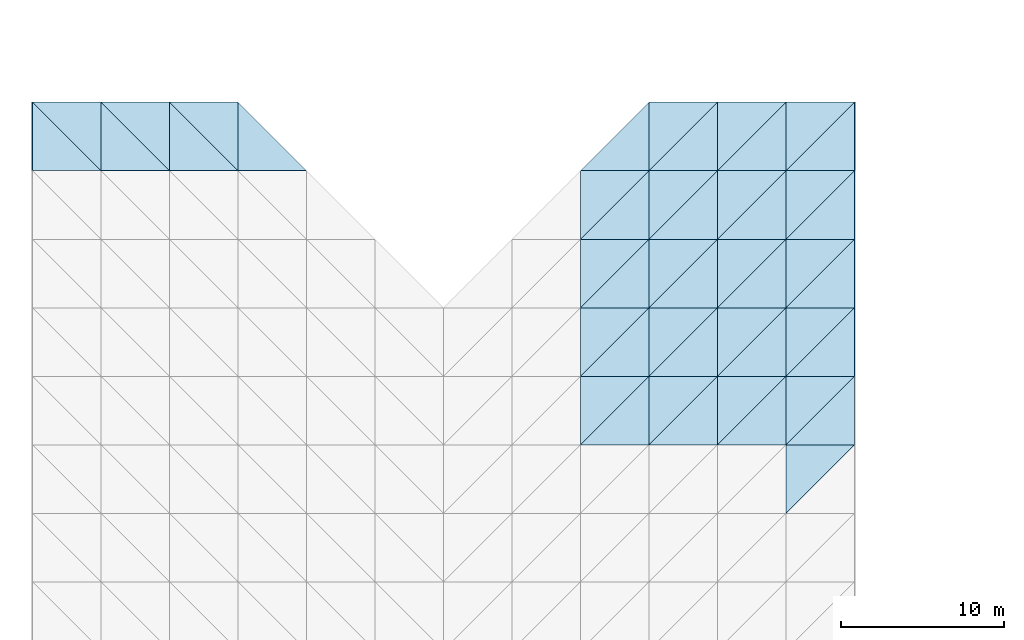
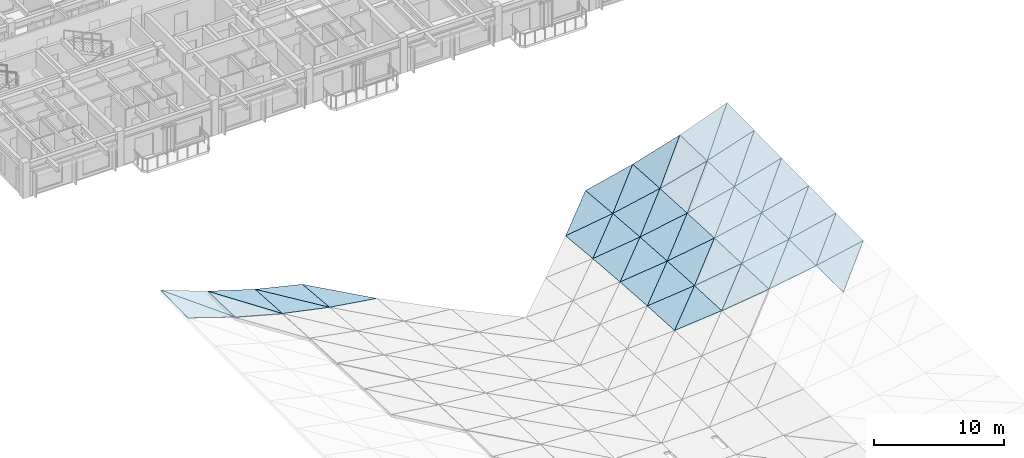
# One storey, part 24 of 31: 47 roofs.
"""IFC4 building model written with IfcOpenShell, lengths in metres."""

import ifcopenshell
import ifcopenshell.guid

model = None  # the IFC model being written
_history = None  # IfcOwnerHistory: only IFC2X3 demands one
_inside = {}  # id of a spatial element -> (the spatial element, [elements in it])
_under = {}  # id of a project, library or spatial element -> (it, [spatial elements below it])
_declared = {}  # id of a project -> (the project, [libraries it declares])
_typed = {}  # id of a type object -> (the type object, [elements of that type])
_made_of = {}  # id of a material, layer set ... -> (it, [elements and type objects made of it])


def new_model(schema):
    """Start an empty IFC model of exactly this schema.

    Asked for "IFC4X3", IfcOpenShell would pick the latest addendum, in which some entities
    have other attributes; the version numbers below select the first issue.
    IFC2X3 requires an IfcOwnerHistory on every rooted entity: one is made here for all.
    """
    global model, _history
    if schema == "IFC4X3":
        model = ifcopenshell.file(schema_version=(4, 3, 0, 0))
    else:
        model = ifcopenshell.file(schema=schema)
    _inside.clear()
    _under.clear()
    _declared.clear()
    _typed.clear()
    _made_of.clear()
    _history = None
    if model.schema == "IFC2X3":
        org = make("IfcOrganization", Name="unknown")
        user = make(
            "IfcPersonAndOrganization",
            ThePerson=make("IfcPerson", FamilyName="unknown"),
            TheOrganization=org,
        )
        app = make(
            "IfcApplication",
            ApplicationDeveloper=org,
            Version="unknown",
            ApplicationFullName="unknown",
            ApplicationIdentifier="unknown",
        )
        _history = make(
            "IfcOwnerHistory",
            OwningUser=user,
            OwningApplication=app,
            ChangeAction="ADDED",
            CreationDate=0,
        )
    return model


def make(cls, **values):
    """One entity of the class cls with the attributes given. An attribute that is None is left unset."""
    return model.create_entity(
        cls, **{name: value for name, value in values.items() if value is not None}
    )


def rooted(cls, **values):
    """An entity with a GlobalId (a new one), such as an element, a storey or a relation."""
    return make(cls, GlobalId=ifcopenshell.guid.new(), OwnerHistory=_history, **values)


def si_unit(unit_type, name, prefix=None):
    """IfcSIUnit, for example si_unit("LENGTHUNIT", "METRE", prefix="MILLI")."""
    return make("IfcSIUnit", UnitType=unit_type, Prefix=prefix, Name=name)


def assignment(units):
    """IfcUnitAssignment: the units of a project."""
    return None if units is None else make("IfcUnitAssignment", Units=units)


def point(xyz):
    """IfcCartesianPoint."""
    return None if xyz is None else make("IfcCartesianPoint", Coordinates=xyz)


def direction(xyz):
    """IfcDirection."""
    return None if xyz is None else make("IfcDirection", DirectionRatios=xyz)


def frame(location, z_axis=None, x_axis=None):
    """IfcAxis2Placement3D, a coordinate frame: its origin and axes. An axis left out is left unset."""
    return make(
        "IfcAxis2Placement3D",
        Location=point(location),
        Axis=direction(z_axis),
        RefDirection=direction(x_axis),
    )


def origin():
    """The frame at (0, 0, 0) with its axes left unset."""
    return frame((0.0, 0.0, 0.0))


def place(relative_to, where):
    """IfcLocalPlacement: puts the frame where relative to a parent placement (None: the world)."""
    return make(
        "IfcLocalPlacement", PlacementRelTo=relative_to, RelativePlacement=where
    )


def context(
    kind, dimensions, precision=None, world=None, true_north=None, identifier=None
):
    """IfcGeometricRepresentationContext, for example the 3D "Model" context."""
    return make(
        "IfcGeometricRepresentationContext",
        ContextIdentifier=identifier,
        ContextType=kind,
        CoordinateSpaceDimension=dimensions,
        Precision=precision,
        WorldCoordinateSystem=world,
        TrueNorth=true_north,
    )


def subcontext(parent, identifier, kind, view, scale=None):
    """IfcGeometricRepresentationSubContext, for example "Body" below "Model"."""
    return make(
        "IfcGeometricRepresentationSubContext",
        ContextIdentifier=identifier,
        ContextType=kind,
        ParentContext=parent,
        TargetScale=scale,
        TargetView=view,
    )


def project(units=None, contexts=None):
    """IfcProject with its units and contexts."""
    return rooted(
        "IfcProject",
        Name="project",
        RepresentationContexts=contexts,
        UnitsInContext=assignment(units),
    )


def spatial(cls, under=None, at=None, **own):
    """A site, building, storey or space (cls), placed at a placement, below another one or the project."""
    s = rooted(cls, ObjectPlacement=at, **own)
    if under is not None:
        _under.setdefault(under.id(), (under, []))[1].append(s)
    return s


def polyline(points):
    """IfcPolyline through the points."""
    return make("IfcPolyline", Points=[point(p) for p in points])


def outline(outer, holes=None, kind="AREA"):
    """IfcArbitraryClosedProfileDef: a profile drawn as a closed curve; with holes, ...WithVoids."""
    if holes is None:
        return make("IfcArbitraryClosedProfileDef", ProfileType=kind, OuterCurve=outer)
    return make(
        "IfcArbitraryProfileDefWithVoids",
        ProfileType=kind,
        OuterCurve=outer,
        InnerCurves=holes,
    )


def extrude(swept, where, along, depth):
    """IfcExtrudedAreaSolid: the profile swept, set in the frame where, extruded along a direction by depth."""
    return make(
        "IfcExtrudedAreaSolid",
        SweptArea=swept,
        Position=where,
        ExtrudedDirection=direction(along),
        Depth=depth,
    )


def shape(context_of_items, identifier, shape_type, items):
    """IfcShapeRepresentation: the items that make up one representation, for example the "Body"."""
    return make(
        "IfcShapeRepresentation",
        ContextOfItems=context_of_items,
        RepresentationIdentifier=identifier,
        RepresentationType=shape_type,
        Items=items,
    )


def material(Name=None, Category=None):
    """IfcMaterial."""
    return make("IfcMaterial", Name=Name, Category=Category)


def layer(
    of_material, thickness, ventilated=None, Name=None, Category=None, Priority=None
):
    """IfcMaterialLayer: one layer of a wall or slab, of a material (None: an air gap)."""
    return make(
        "IfcMaterialLayer",
        Material=of_material,
        LayerThickness=thickness,
        IsVentilated=ventilated,
        Name=Name,
        Category=Category,
        Priority=Priority,
    )


def layer_set(layers, Name=None):
    """IfcMaterialLayerSet."""
    return make("IfcMaterialLayerSet", MaterialLayers=layers, LayerSetName=Name)


def made_of(thing, what):
    """Note that an element or type object is made of a material, layer set ...; save() writes the relation."""
    if what is not None:
        _made_of.setdefault(what.id(), (what, []))[1].append(thing)
    return thing


def type_object(cls, material=None, **own):
    """A type object (cls), such as IfcWallType, which elements share."""
    return made_of(rooted(cls, **own), material)


def element(
    cls,
    number,
    at=None,
    inside=None,
    cuts=None,
    type_object=None,
    material=None,
    context=None,
    identifier="Body",
    shape_type=None,
    held_by="IfcProductDefinitionShape",
    body=None,
    shapes=None,
    **own,
):
    """One element of the class cls, such as IfcWall. Its Tag is "e" and its number.

    at: its placement. inside: the storey or other place that contains it. cuts: it is an
    opening in that element (IfcRelVoidsElement). A single representation is given by context,
    identifier, shape_type and body (its items); several are given by shapes. held_by: the class
    of the entity that holds the representations. save() writes the other relations.
    """
    e = rooted(cls, Tag="e%d" % number, ObjectPlacement=at, **own)
    if body is not None:
        shapes = [shape(context, identifier, shape_type, body)]
    if shapes is not None:
        e.Representation = make(held_by, Representations=shapes)
    if inside is not None:
        _inside.setdefault(inside.id(), (inside, []))[1].append(e)
    if cuts is not None:
        rooted(
            "IfcRelVoidsElement", RelatingBuildingElement=cuts, RelatedOpeningElement=e
        )
    if type_object is not None:
        _typed.setdefault(type_object.id(), (type_object, []))[1].append(e)
    return made_of(e, material)


def aggregate(whole, parts):
    """IfcRelAggregates: a whole, such as a stair, and the parts it consists of."""
    return rooted("IfcRelAggregates", RelatingObject=whole, RelatedObjects=parts)


def save(model, path):
    """Write the relations noted so far, then the file.

    IfcRelAggregates (storeys below a building ...), IfcRelContainedInSpatialStructure (elements
    in a storey), IfcRelDefinesByType, IfcRelAssociatesMaterial and IfcRelDeclares: one each for
    every whole, place, type object, material and project.
    """
    for whole, parts in _under.values():
        aggregate(whole, parts)
    for where, things in _inside.values():
        rooted(
            "IfcRelContainedInSpatialStructure",
            RelatedElements=things,
            RelatingStructure=where,
        )
    for kind, things in _typed.values():
        rooted("IfcRelDefinesByType", RelatedObjects=things, RelatingType=kind)
    for what, things in _made_of.values():
        rooted("IfcRelAssociatesMaterial", RelatedObjects=things, RelatingMaterial=what)
    for by, libraries in _declared.values():
        rooted("IfcRelDeclares", RelatingContext=by, RelatedDefinitions=libraries)
    model.write(path)


model = new_model("IFC4")

# Units and contexts
model_context = context("Model", 3, precision=1e-05, world=origin(), true_north=direction((0.0, 1.0)))
body_context = subcontext(model_context, "Body", "Model", "MODEL_VIEW")
ifc_project = project(units=[si_unit("LENGTHUNIT", "METRE"), si_unit("AREAUNIT", "SQUARE_METRE"), si_unit("VOLUMEUNIT", "CUBIC_METRE"), si_unit("PLANEANGLEUNIT", "RADIAN"), si_unit("MASSUNIT", "GRAM", prefix="KILO")], contexts=[model_context])

# Site, building, storey
site_placement = place(None, origin())
site = spatial("IfcSite", under=ifc_project, at=site_placement, CompositionType="ELEMENT")
building_placement = place(site_placement, origin())
building = spatial("IfcBuilding", under=site, at=building_placement, Name="Cumbredor Promenade Congress Hotel", CompositionType="ELEMENT")
storey_placement = place(building_placement, frame((0.0, 0.0, 31.919921875)))
storey = spatial("IfcBuildingStorey", under=building, at=storey_placement, Name="L09", CompositionType="ELEMENT", Elevation=31.919921875)

# Roofs
ifc_material = material(Name="Standing-seam zinc-aluminium roofing", Category="aluminium")
ifc_layer = layer(ifc_material, 0.050048828125, Name="Standing-seam zinc-aluminium roofing", Category="aluminium")
ifc_layer_set = layer_set([ifc_layer], Name="Standing-seam zinc-aluminium roofing")
roof_type = type_object("IfcRoofType", Name="Sweeping Pavilion Standing-Seam Roof Skin 50mm", PredefinedType="FREEFORM", material=ifc_layer_set)
roof_1_placement = place(storey_placement, frame((8.39990234375, 67.199951171875, 3.81689453125), z_axis=(0.314567093769, -0.015558238685, 0.949107730833), x_axis=(0.949222621626, 0.0, -0.314605172548)))
element("IfcRoof", 1, at=roof_1_placement, inside=storey, type_object=roof_type, Name="Plenary Congress Hall Standing-Seam Roof Skin 4.17.1", PredefinedType="FREEFORM", context=body_context, shape_type="SweptSolid", body=[
    extrude(outline(polyline([(0.0, 0.0), (4.424879071366682, 0.0), (-0.02165982877403565, 4.200459581727074), (0.0, 0.0)])), origin(), (0.0, 0.0, -1.0), 0.050048828125),
])
roof_2_placement = place(storey_placement, frame((12.60009765625, 67.199951171875, 2.4248046875), z_axis=(0.35108065082, 0.025517805151, 0.935997445638), x_axis=(0.0, 0.999628579988, -0.027252560833)))
element("IfcRoof", 2, at=roof_2_placement, inside=storey, type_object=roof_type, Name="Plenary Congress Hall Standing-Seam Roof Skin 4.17.2", PredefinedType="FREEFORM", context=body_context, shape_type="SweptSolid", body=[
    extrude(outline(polyline([(0.0, 0.0), (4.201511697401737, 6.938893903907228e-18), (4.158576937866366, 4.485733690271126), (0.0, 0.0)])), origin(), (0.0, 0.0, -1.0), 0.050048828125),
])
roof_3_placement = place(storey_placement, frame((12.60009765625, 67.199951171875, 2.4248046875), z_axis=(0.261578655926, 0.026303685598, 0.964823674506), x_axis=(0.965157620777, 0.0, -0.261669193937)))
element("IfcRoof", 3, at=roof_3_placement, inside=storey, type_object=roof_type, Name="Plenary Congress Hall Standing-Seam Roof Skin 5.17.1", PredefinedType="FREEFORM", context=body_context, shape_type="SweptSolid", body=[
    extrude(outline(polyline([(0.0, 0.0), (4.351570232117391, 0.0), (0.029961633778472968, 4.201404865506888), (0.0, 0.0)])), origin(), (0.0, 0.0, -1.0), 0.050048828125),
])
roof_4_placement = place(storey_placement, frame((16.800048828125, 67.199951171875, 1.2861328125), z_axis=(0.292832493061, 0.060130786603, 0.954271145697), x_axis=(0.0, 0.998020619679, -0.062887540065)))
element("IfcRoof", 4, at=roof_4_placement, inside=storey, type_object=roof_type, Name="Plenary Congress Hall Standing-Seam Roof Skin 5.17.2", PredefinedType="FREEFORM", context=body_context, shape_type="SweptSolid", body=[
    extrude(outline(polyline([(0.0, 0.0), (4.208280960392899, -2.7755575615628914e-17), (4.12723034418165, 4.392501953011293), (0.0, 0.0)])), origin(), (0.0, 0.0, -1.0), 0.050048828125),
])
roof_5_placement = place(storey_placement, frame((16.800048828125, 67.199951171875, 1.2861328125), z_axis=(0.205963343256, 0.061539212814, 0.976622765719), x_axis=(0.978477306539, 0.0, -0.206354453765)))
element("IfcRoof", 5, at=roof_5_placement, inside=storey, type_object=roof_type, Name="Plenary Congress Hall Standing-Seam Roof Skin 6.17.1", PredefinedType="FREEFORM", context=body_context, shape_type="SweptSolid", body=[
    extrude(outline(polyline([(0.0, 0.0), (4.292333755528742, 0.0), (0.05461138376012229, 4.2079265961241745), (0.0, 0.0)])), origin(), (0.0, 0.0, -1.0), 0.050048828125),
])
roof_6_placement = place(storey_placement, frame((21.0, 67.199951171875, 0.400390625), z_axis=(0.231257969912, 0.087974902339, 0.968906686895), x_axis=(0.0, 0.995903165323, -0.090426131735)))
element("IfcRoof", 6, at=roof_6_placement, inside=storey, type_object=roof_type, Name="Plenary Congress Hall Standing-Seam Roof Skin 6.17.2", PredefinedType="FREEFORM", context=body_context, shape_type="SweptSolid", body=[
    extrude(outline(polyline([(0.0, 0.0), (4.217228459671299, 1.3877787807814457e-17), (4.126581561013314, 4.316973680584855), (0.0, 0.0)])), origin(), (0.0, 0.0, -1.0), 0.050048828125),
])
roof_7_placement = place(storey_placement, frame((21.0, 67.199951171875, 0.400390625), z_axis=(0.148392794585, 0.089424978836, 0.984877023631), x_axis=(0.988838745942, 0.0, -0.148989712811)))
element("IfcRoof", 7, at=roof_7_placement, inside=storey, type_object=roof_type, Name="Plenary Congress Hall Standing-Seam Roof Skin 7.17.1", PredefinedType="FREEFORM", context=body_context, shape_type="SweptSolid", body=[
    extrude(outline(polyline([(0.0, 0.0), (4.247357002453459, -1.3877787807814457e-17), (0.05681687778571597, 4.216845707808176), (0.0, 0.0)])), origin(), (0.0, 0.0, -1.0), 0.050048828125),
])
roof_8_placement = place(storey_placement, frame((42.0, 50.39990234375, 1.0458984375), z_axis=(-0.095492573343, 0.045142472615, 0.994406016475), x_axis=(0.995420789287, 0.0, 0.095590021735)))
element("IfcRoof", 8, at=roof_8_placement, inside=storey, type_object=roof_type, Name="Plenary Congress Hall Standing-Seam Roof Skin 12.13.1", PredefinedType="FREEFORM", context=body_context, shape_type="SweptSolid", body=[
    extrude(outline(polyline([(0.0, 0.0), (4.219272107912606, 0.0), (4.201045592537898, 4.204481533556321), (0.0, 0.0)])), origin(), (0.0, 0.0, -1.0), 0.050048828125),
])
roof_9_placement = place(storey_placement, frame((42.0, 50.39990234375, 1.0458984375), z_axis=(-0.105220665991, 0.054944734798, 0.992929850275), x_axis=(0.706633542814, 0.706674618995, 0.035777353705)))
element("IfcRoof", 9, at=roof_9_placement, inside=storey, type_object=roof_type, Name="Plenary Congress Hall Standing-Seam Roof Skin 12.13.2", PredefinedType="FREEFORM", context=body_context, shape_type="SweptSolid", body=[
    extrude(outline(polyline([(0.0, 0.0), (5.943605726879787, 4.753142324176451e-16), (2.9598559825353283, 2.9891325085675473), (0.0, 0.0)])), origin(), (0.0, 0.0, -1.0), 0.050048828125),
])
roof_10_placement = place(storey_placement, frame((42.0, 54.60009765625, 0.8134765625), z_axis=(-0.105212196304, 0.056386349857, 0.992849924862), x_axis=(0.994432042203, 0.0, 0.105379853103)))
element("IfcRoof", 10, at=roof_10_placement, inside=storey, type_object=roof_type, Name="Plenary Congress Hall Standing-Seam Roof Skin 12.14.1", PredefinedType="FREEFORM", context=body_context, shape_type="SweptSolid", body=[
    extrude(outline(polyline([(0.0, 0.0), (4.223467259332188, 3.469446951953614e-18), (4.198331488706719, 4.2066438405386855), (0.0, 0.0)])), origin(), (0.0, 0.0, -1.0), 0.050048828125),
])
roof_11_placement = place(storey_placement, frame((42.0, 54.60009765625, 0.8134765625), z_axis=(-0.117254845515, 0.068533038391, 0.990734335658), x_axis=(0.706679647611, 0.706679647611, 0.034752716496)))
element("IfcRoof", 11, at=roof_11_placement, inside=storey, type_object=roof_type, Name="Plenary Congress Hall Standing-Seam Roof Skin 12.14.2", PredefinedType="FREEFORM", context=body_context, shape_type="SweptSolid", body=[
    extrude(outline(polyline([(0.0, 0.0), (5.94321795748805, 3.0184188481996443e-16), (2.9579233997137746, 2.995777886463936), (0.0, 0.0)])), origin(), (0.0, 0.0, -1.0), 0.050048828125),
])
roof_12_placement = place(storey_placement, frame((42.0, 58.800048828125, 0.52294921875), z_axis=(-0.117263569299, 0.067443830869, 0.990808046492), x_axis=(0.993069192908, 0.0, 0.117531179257)))
element("IfcRoof", 12, at=roof_12_placement, inside=storey, type_object=roof_type, Name="Plenary Congress Hall Standing-Seam Roof Skin 12.15.1", PredefinedType="FREEFORM", context=body_context, shape_type="SweptSolid", body=[
    extrude(outline(polyline([(0.0, 0.0), (4.229263380507655, 6.938893903907228e-18), (4.195662547765935, 4.209535979520748), (0.0, 0.0)])), origin(), (0.0, 0.0, -1.0), 0.050048828125),
])
roof_13_placement = place(storey_placement, frame((42.0, 58.800048828125, 0.52294921875), z_axis=(-0.131677216487, 0.082003953399, 0.987894965209), x_axis=(0.706660264874, 0.706660264874, 0.035532240256)))
element("IfcRoof", 13, at=roof_13_placement, inside=storey, type_object=roof_type, Name="Plenary Congress Hall Standing-Seam Roof Skin 12.15.2", PredefinedType="FREEFORM", context=body_context, shape_type="SweptSolid", body=[
    extrude(outline(polyline([(0.0, 0.0), (5.943380971938906, 0.0), (2.9555509027186253, 3.0043058342194406), (0.0, 0.0)])), origin(), (0.0, 0.0, -1.0), 0.050048828125),
])
roof_14_placement = place(storey_placement, frame((42.0, 63.0, 0.17431640625), z_axis=(-0.131714249465, 0.078523061063, 0.988172801371), x_axis=(0.99123343534, 0.0, 0.132122203525)))
element("IfcRoof", 14, at=roof_14_placement, inside=storey, type_object=roof_type, Name="Plenary Congress Hall Standing-Seam Roof Skin 12.16.1", PredefinedType="FREEFORM", context=body_context, shape_type="SweptSolid", body=[
    extrude(outline(polyline([(0.0, 0.0), (4.237095947469426, -6.938893903907228e-18), (4.19300145229897, 4.212959537625602), (0.0, 0.0)])), origin(), (0.0, 0.0, -1.0), 0.050048828125),
])
roof_15_placement = place(storey_placement, frame((42.0, 63.0, 0.17431640625), z_axis=(-0.148311221461, 0.095326579843, 0.984335626077), x_axis=(0.706595138181, 0.706595138181, 0.038034476426)))
element("IfcRoof", 15, at=roof_15_placement, inside=storey, type_object=roof_type, Name="Plenary Congress Hall Standing-Seam Roof Skin 12.16.2", PredefinedType="FREEFORM", context=body_context, shape_type="SweptSolid", body=[
    extrude(outline(polyline([(0.0, 0.0), (5.943928771835325, -2.3592239273284576e-16), (2.952195001076138, 3.0148914659054404), (0.0, 0.0)])), origin(), (0.0, 0.0, -1.0), 0.050048828125),
])
roof_16_placement = place(storey_placement, frame((42.0, 67.199951171875, -0.232421875), z_axis=(-0.148392794585, 0.089424978836, 0.984877023631), x_axis=(0.988838745942, 0.0, 0.148989712811)))
element("IfcRoof", 16, at=roof_16_placement, inside=storey, type_object=roof_type, Name="Plenary Congress Hall Standing-Seam Roof Skin 12.17.1", PredefinedType="FREEFORM", context=body_context, shape_type="SweptSolid", body=[
    extrude(outline(polyline([(0.0, 0.0), (4.247357002453459, 1.3877787807814457e-17), (4.190540124667743, 4.216845707808176), (0.0, 0.0)])), origin(), (0.0, 0.0, -1.0), 0.050048828125),
])
roof_17_placement = place(storey_placement, frame((46.199951171875, 50.39990234375, 1.44921875), z_axis=(-0.133189316593, 0.031208133833, 0.99059914109), x_axis=(0.991081889584, 0.0, 0.133254223717)))
element("IfcRoof", 17, at=roof_17_placement, inside=storey, type_object=roof_type, Name="Plenary Congress Hall Standing-Seam Roof Skin 13.13.1", PredefinedType="FREEFORM", context=body_context, shape_type="SweptSolid", body=[
    extrude(outline(polyline([(0.0, 0.0), (4.23774383934878, 0.0), (4.220111078300256, 4.202242192895666), (0.0, 0.0)])), origin(), (0.0, 0.0, -1.0), 0.050048828125),
])
roof_18_placement = place(storey_placement, frame((46.199951171875, 50.39990234375, 1.44921875), z_axis=(-0.146592652311, 0.044859798853, 0.988179231079), x_axis=(0.705220304782, 0.705261298813, 0.072600427819)))
element("IfcRoof", 18, at=roof_18_placement, inside=storey, type_object=roof_type, Name="Plenary Congress Hall Standing-Seam Roof Skin 13.13.2", PredefinedType="FREEFORM", context=body_context, shape_type="SweptSolid", body=[
    extrude(outline(polyline([(0.0, 0.0), (5.955516515042597, 1.1102230246251565e-16), (2.9483921998654137, 2.997495722707807), (0.0, 0.0)])), origin(), (0.0, 0.0, -1.0), 0.050048828125),
])
roof_19_placement = place(storey_placement, frame((46.199951171875, 54.60009765625, 1.258544921875), z_axis=(-0.146628993095, 0.038955508354, 0.988424203848), x_axis=(0.989175041018, 0.0, 0.14674037695)))
element("IfcRoof", 19, at=roof_19_placement, inside=storey, type_object=roof_type, Name="Plenary Congress Hall Standing-Seam Roof Skin 13.14.1", PredefinedType="FREEFORM", context=body_context, shape_type="SweptSolid", body=[
    extrude(outline(polyline([(0.0, 0.0), (4.245913006007242, -3.469446951953614e-18), (4.221623461189773, 4.203141582872945), (0.0, 0.0)])), origin(), (0.0, 0.0, -1.0), 0.050048828125),
])
roof_20_placement = place(storey_placement, frame((46.199951171875, 54.60009765625, 1.258544921875), z_axis=(-0.163240843778, 0.055940478559, 0.984999030345), x_axis=(0.705018310319, 0.705018310319, 0.076800808786)))
element("IfcRoof", 20, at=roof_20_placement, inside=storey, type_object=roof_type, Name="Plenary Congress Hall Standing-Seam Roof Skin 13.14.2", PredefinedType="FREEFORM", context=body_context, shape_type="SweptSolid", body=[
    extrude(outline(polyline([(0.0, 0.0), (5.957222827269733, -2.7755575615628914e-17), (2.942723535701389, 3.006137455362963), (0.0, 0.0)])), origin(), (0.0, 0.0, -1.0), 0.050048828125),
])
roof_21_placement = place(storey_placement, frame((46.199951171875, 58.800048828125, 1.02001953125), z_axis=(-0.16331945283, 0.046572681568, 0.985473359183), x_axis=(0.986543854023, 0.0, 0.16349686263)))
element("IfcRoof", 21, at=roof_21_placement, inside=storey, type_object=roof_type, Name="Plenary Congress Hall Standing-Seam Roof Skin 13.15.1", PredefinedType="FREEFORM", context=body_context, shape_type="SweptSolid", body=[
    extrude(outline(polyline([(0.0, 0.0), (4.257237176785217, 6.938893903907228e-18), (4.224785284861885, 4.204513472840506), (0.0, 0.0)])), origin(), (0.0, 0.0, -1.0), 0.050048828125),
])
roof_22_placement = place(storey_placement, frame((46.199951171875, 58.800048828125, 1.02001953125), z_axis=(-0.182964986492, 0.066765970453, 0.980849692311), x_axis=(0.704638772809, 0.704638772809, 0.083476941172)))
element("IfcRoof", 22, at=roof_22_placement, inside=storey, type_object=roof_type, Name="Plenary Congress Hall Standing-Seam Roof Skin 13.15.2", PredefinedType="FREEFORM", context=body_context, shape_type="SweptSolid", body=[
    extrude(outline(polyline([(0.0, 0.0), (5.960431548678573, 1.1102230246251565e-16), (2.9355833277652796, 3.0172293092483313), (0.0, 0.0)])), origin(), (0.0, 0.0, -1.0), 0.050048828125),
])
roof_23_placement = place(storey_placement, frame((46.199951171875, 63.0, 0.734130859375), z_axis=(-0.183105679029, 0.054092921072, 0.981603925317), x_axis=(0.9830431928, 0.0, 0.183374156002)))
element("IfcRoof", 23, at=roof_23_placement, inside=storey, type_object=roof_type, Name="Plenary Congress Hall Standing-Seam Roof Skin 13.16.1", PredefinedType="FREEFORM", context=body_context, shape_type="SweptSolid", body=[
    extrude(outline(polyline([(0.0, 0.0), (4.272397390710451, -6.938893903907228e-18), (4.229956301870236, 4.206109310608851), (0.0, 0.0)])), origin(), (0.0, 0.0, -1.0), 0.050048828125),
])
roof_24_placement = place(storey_placement, frame((46.199951171875, 63.0, 0.734130859375), z_axis=(-0.205733512795, 0.077518663724, 0.975532971502), x_axis=(0.704072781143, 0.704072781143, 0.09253668303)))
element("IfcRoof", 24, at=roof_24_placement, inside=storey, type_object=roof_type, Name="Plenary Congress Hall Standing-Seam Roof Skin 13.16.2", PredefinedType="FREEFORM", context=body_context, shape_type="SweptSolid", body=[
    extrude(outline(polyline([(0.0, 0.0), (5.965223034264703, 2.498001805406602e-16), (2.9261880879655005, 3.0312366558920596), (0.0, 0.0)])), origin(), (0.0, 0.0, -1.0), 0.050048828125),
])
roof_25_placement = place(storey_placement, frame((46.199951171875, 67.199951171875, 0.400390625), z_axis=(-0.205963343256, 0.061539212814, 0.976622765719), x_axis=(0.978477306539, 0.0, 0.206354453765)))
element("IfcRoof", 25, at=roof_25_placement, inside=storey, type_object=roof_type, Name="Plenary Congress Hall Standing-Seam Roof Skin 13.17.1", PredefinedType="FREEFORM", context=body_context, shape_type="SweptSolid", body=[
    extrude(outline(polyline([(0.0, 0.0), (4.292333755528742, 0.0), (4.237722371768619, 4.2079265961241745), (0.0, 0.0)])), origin(), (0.0, 0.0, -1.0), 0.050048828125),
])
roof_26_placement = place(storey_placement, frame((46.199951171875, 67.199951171875, 0.400390625), z_axis=(-0.231257969912, 0.087974902339, 0.968906686895), x_axis=(0.703272296544, 0.703272296544, 0.104000739546)))
element("IfcRoof", 26, at=roof_26_placement, inside=storey, type_object=roof_type, Name="Plenary Congress Hall Standing-Seam Roof Skin 13.17.2", PredefinedType="FREEFORM", context=body_context, shape_type="SweptSolid", body=[
    extrude(outline(polyline([(0.0, 0.0), (5.972012821365794, -3.3306690738754696e-16), (2.9140488677450915, 3.0484971834422123), (0.0, 0.0)])), origin(), (0.0, 0.0, -1.0), 0.050048828125),
])
roof_27_placement = place(storey_placement, frame((50.39990234375, 50.39990234375, 2.013916015625), z_axis=(-0.170324947913, 0.013458763537, 0.985296033587), x_axis=(0.985385283144, 0.0, 0.170340376196)))
element("IfcRoof", 27, at=roof_27_placement, inside=storey, type_object=roof_type, Name="Plenary Congress Hall Standing-Seam Roof Skin 14.13.1", PredefinedType="FREEFORM", context=body_context, shape_type="SweptSolid", body=[
    extrude(outline(polyline([(0.0, 0.0), (4.2624904028373365, 0.0), (4.252717456449154, 4.200575772340453), (0.0, 0.0)])), origin(), (0.0, 0.0, -1.0), 0.050048828125),
])
roof_28_placement = place(storey_placement, frame((50.39990234375, 50.39990234375, 2.013916015625), z_axis=(-0.187245478524, 0.030931743176, 0.98182603247), x_axis=(0.702668181441, 0.702668181441, 0.11186980638)))
element("IfcRoof", 28, at=roof_28_placement, inside=storey, type_object=roof_type, Name="Plenary Congress Hall Standing-Seam Roof Skin 14.13.2", PredefinedType="FREEFORM", context=body_context, shape_type="SweptSolid", body=[
    extrude(outline(polyline([(0.0, 0.0), (5.977494674490388, 6.938893903907228e-16), (2.936540517202201, 3.0059740772076866), (0.0, 0.0)])), origin(), (0.0, 0.0, -1.0), 0.050048828125),
])
roof_29_placement = place(storey_placement, frame((50.39990234375, 54.60009765625, 1.881591796875), z_axis=(-0.187308905961, 0.016728040133, 0.982158615714), x_axis=(0.98229606197, 0.0, 0.187335118538)))
element("IfcRoof", 29, at=roof_29_placement, inside=storey, type_object=roof_type, Name="Plenary Congress Hall Standing-Seam Roof Skin 14.14.1", PredefinedType="FREEFORM", context=body_context, shape_type="SweptSolid", body=[
    extrude(outline(polyline([(0.0, 0.0), (4.275895501479533, 0.0), (4.262494820392721, 4.200538925784395), (0.0, 0.0)])), origin(), (0.0, 0.0, -1.0), 0.050048828125),
])
roof_30_placement = place(storey_placement, frame((50.39990234375, 54.60009765625, 1.881591796875), z_axis=(-0.208256158292, 0.038517698597, 0.97731558845), x_axis=(0.701853990868, 0.701813194891, 0.121898379721)))
element("IfcRoof", 30, at=roof_30_placement, inside=storey, type_object=roof_type, Name="Plenary Congress Hall Standing-Seam Roof Skin 14.14.2", PredefinedType="FREEFORM", context=body_context, shape_type="SweptSolid", body=[
    extrude(outline(polyline([(0.0, 0.0), (5.984428908501186, -3.885780586188048e-16), (2.9274036353184067, 3.0161725918103057), (0.0, 0.0)])), origin(), (0.0, 0.0, -1.0), 0.050048828125),
])
roof_31_placement = place(storey_placement, frame((50.39990234375, 58.800048828125, 1.716064453125), z_axis=(-0.208369095519, 0.020008233818, 0.977845586282), x_axis=(0.978041375248, 0.0, 0.208410816186)))
element("IfcRoof", 31, at=roof_31_placement, inside=storey, type_object=roof_type, Name="Plenary Congress Hall Standing-Seam Roof Skin 14.15.1", PredefinedType="FREEFORM", context=body_context, shape_type="SweptSolid", body=[
    extrude(outline(polyline([(0.0, 0.0), (4.294496550757253, 3.469446951953614e-18), (4.276586246241294, 4.20079210638096), (0.0, 0.0)])), origin(), (0.0, 0.0, -1.0), 0.050048828125),
])
roof_32_placement = place(storey_placement, frame((50.39990234375, 58.800048828125, 1.716064453125), z_axis=(-0.233022270419, 0.045906982868, 0.971387240195), x_axis=(0.700657152571, 0.700616426161, 0.134967321764)))
element("IfcRoof", 32, at=roof_32_placement, inside=storey, type_object=roof_type, Name="Plenary Congress Hall Standing-Seam Roof Skin 14.15.2", PredefinedType="FREEFORM", context=body_context, shape_type="SweptSolid", body=[
    extrude(outline(polyline([(0.0, 0.0), (5.994651302834285, -3.0531133177191805e-16), (2.9157656119773554, 3.029405480386713), (0.0, 0.0)])), origin(), (0.0, 0.0, -1.0), 0.050048828125),
])
roof_33_placement = place(storey_placement, frame((50.39990234375, 63.0, 1.517578125), z_axis=(-0.233205275308, 0.02322581529, 0.972150122704), x_axis=(0.972412436435, 0.0, 0.233268200719)))
element("IfcRoof", 33, at=roof_33_placement, inside=storey, type_object=roof_type, Name="Plenary Congress Hall Standing-Seam Roof Skin 14.16.1", PredefinedType="FREEFORM", context=body_context, shape_type="SweptSolid", body=[
    extrude(outline(polyline([(0.0, 0.0), (4.319355815623506, 3.469446951953614e-18), (4.295949265209578, 4.20108443806263), (0.0, 0.0)])), origin(), (0.0, 0.0, -1.0), 0.050048828125),
])
roof_34_placement = place(storey_placement, frame((50.39990234375, 63.0, 1.517578125), z_axis=(-0.261285718859, 0.053111762449, 0.963799208243), x_axis=(0.699020766874, 0.698980135581, 0.150985885242)))
element("IfcRoof", 34, at=roof_34_placement, inside=storey, type_object=roof_type, Name="Plenary Congress Hall Standing-Seam Roof Skin 14.16.2", PredefinedType="FREEFORM", context=body_context, shape_type="SweptSolid", body=[
    extrude(outline(polyline([(0.0, 0.0), (6.0086845935684385, -2.498001805406602e-16), (2.900737464157187, 3.0461252342685023), (0.0, 0.0)])), origin(), (0.0, 0.0, -1.0), 0.050048828125),
])
roof_35_placement = place(storey_placement, frame((50.39990234375, 67.199951171875, 1.2861328125), z_axis=(-0.261564491661, 0.02630379021, 0.964827511694), x_axis=(0.965161461951, 0.0, 0.261655025491)))
element("IfcRoof", 35, at=roof_35_placement, inside=storey, type_object=roof_type, Name="Plenary Congress Hall Standing-Seam Roof Skin 14.17.1", PredefinedType="FREEFORM", context=body_context, shape_type="SweptSolid", body=[
    extrude(outline(polyline([(0.0, 0.0), (4.351805866771057, -3.469446951953614e-18), (4.321845855307416, 4.2014048770758485), (0.0, 0.0)])), origin(), (0.0, 0.0, -1.0), 0.050048828125),
])
roof_36_placement = place(storey_placement, frame((50.39990234375, 67.199951171875, 1.2861328125), z_axis=(-0.29281693134, 0.06013108631, 0.954275902022), x_axis=(0.696844478616, 0.696803973822, 0.169917611474)))
element("IfcRoof", 36, at=roof_36_placement, inside=storey, type_object=roof_type, Name="Plenary Congress Hall Standing-Seam Roof Skin 14.17.2", PredefinedType="FREEFORM", context=body_context, shape_type="SweptSolid", body=[
    extrude(outline(polyline([(0.0, 0.0), (6.0274500859115046, 1.1102230246251565e-16), (2.881574236039302, 3.0669461299148844), (0.0, 0.0)])), origin(), (0.0, 0.0, -1.0), 0.050048828125),
])
roof_37_placement = place(storey_placement, frame((54.60009765625, 46.199951171875, 2.782958984375), z_axis=(-0.206670803302, 0.010009372972, 0.978359336601), x_axis=(0.700070449611, 0.700070449611, 0.140722177222)))
element("IfcRoof", 37, at=roof_37_placement, inside=storey, type_object=roof_type, Name="Plenary Congress Hall Standing-Seam Roof Skin 15.12.2", PredefinedType="FREEFORM", context=body_context, shape_type="SweptSolid", body=[
    extrude(outline(polyline([(0.0, 0.0), (5.999326459511628, 0.0), (2.9342150491873236, 3.005298355360642), (0.0, 0.0)])), origin(), (0.0, 0.0, -1.0), 0.050048828125),
])
roof_38_placement = place(storey_placement, frame((54.60009765625, 50.39990234375, 2.739990234375), z_axis=(-0.206674512389, -0.008018550465, 0.978376895055), x_axis=(0.978408349995, 0.0, 0.206681157001)))
element("IfcRoof", 38, at=roof_38_placement, inside=storey, type_object=roof_type, Name="Plenary Congress Hall Standing-Seam Roof Skin 15.13.1", PredefinedType="FREEFORM", context=body_context, shape_type="SweptSolid", body=[
    extrude(outline(polyline([(0.0, 0.0), (4.292636271853652, 8.673617379884035e-19), (4.299751028478921, 4.200330349309198), (0.0, 0.0)])), origin(), (0.0, 0.0, -1.0), 0.050048828125),
])
roof_39_placement = place(storey_placement, frame((54.60009765625, 50.39990234375, 2.739990234375), z_axis=(-0.226992981102, 0.013301807961, 0.973805549602), x_axis=(0.69872527049, 0.698765886968, 0.153327204331)))
element("IfcRoof", 39, at=roof_39_placement, inside=storey, type_object=roof_type, Name="Plenary Congress Hall Standing-Seam Roof Skin 15.13.2", PredefinedType="FREEFORM", context=body_context, shape_type="SweptSolid", body=[
    extrude(outline(polyline([(0.0, 0.0), (6.01087630468582, 2.498001805406602e-16), (2.9261563540975155, 3.013725488665056), (0.0, 0.0)])), origin(), (0.0, 0.0, -1.0), 0.050048828125),
])
roof_40_placement = place(storey_placement, frame((54.60009765625, 54.60009765625, 2.6826171875), z_axis=(-0.227001669746, -0.01001977445, 0.973842824101), x_axis=(0.973891712686, 0.0, 0.22701306562)))
element("IfcRoof", 40, at=roof_40_placement, inside=storey, type_object=roof_type, Name="Plenary Congress Hall Standing-Seam Roof Skin 15.14.1", PredefinedType="FREEFORM", context=body_context, shape_type="SweptSolid", body=[
    extrude(outline(polyline([(0.0, 0.0), (4.312544317985259, 0.0), (4.322354208760363, 4.200162016648087), (0.0, 0.0)])), origin(), (0.0, 0.0, -1.0), 0.050048828125),
])
roof_41_placement = place(storey_placement, frame((54.60009765625, 54.60009765625, 2.6826171875), z_axis=(-0.251980038765, 0.0164799445, 0.967592099747), x_axis=(0.696861977483, 0.696861977483, 0.169607690503)))
element("IfcRoof", 41, at=roof_41_placement, inside=storey, type_object=roof_type, Name="Plenary Congress Hall Standing-Seam Roof Skin 15.14.2", PredefinedType="FREEFORM", context=body_context, shape_type="SweptSolid", body=[
    extrude(outline(polyline([(0.0, 0.0), (6.026948388038657, -2.220446049250313e-16), (2.914653697587442, 3.0248141543611182), (0.0, 0.0)])), origin(), (0.0, 0.0, -1.0), 0.050048828125),
])
roof_42_placement = place(storey_placement, frame((54.60009765625, 58.800048828125, 2.611083984375), z_axis=(-0.251996344145, -0.011924827, 0.967654711681), x_axis=(0.967723519995, 0.0, 0.252014263185)))
element("IfcRoof", 42, at=roof_42_placement, inside=storey, type_object=roof_type, Name="Plenary Congress Hall Standing-Seam Roof Skin 15.15.1", PredefinedType="FREEFORM", context=body_context, shape_type="SweptSolid", body=[
    extrude(outline(polyline([(0.0, 0.0), (4.340032132212178, 1.734723475976807e-18), (4.3530758391934485, 4.200249823403027), (0.0, 0.0)])), origin(), (0.0, 0.0, -1.0), 0.050048828125),
])
roof_43_placement = place(storey_placement, frame((54.60009765625, 58.800048828125, 2.611083984375), z_axis=(-0.281305664554, 0.019631164537, 0.959417396376), x_axis=(0.694312396197, 0.694312396197, 0.189368933497)))
element("IfcRoof", 43, at=roof_43_placement, inside=storey, type_object=roof_type, Name="Plenary Congress Hall Standing-Seam Roof Skin 15.15.2", PredefinedType="FREEFORM", context=body_context, shape_type="SweptSolid", body=[
    extrude(outline(polyline([(0.0, 0.0), (6.0490799168771865, 2.498001805406602e-16), (2.8998042693330817, 3.039425981924559), (0.0, 0.0)])), origin(), (0.0, 0.0, -1.0), 0.050048828125),
])
roof_44_placement = place(storey_placement, frame((54.60009765625, 63.0, 2.525146484375), z_axis=(-0.281333183711, -0.013776624976, 0.959511252851), x_axis=(0.959602321223, 0.0, 0.281359885383)))
element("IfcRoof", 44, at=roof_44_placement, inside=storey, type_object=roof_type, Name="Plenary Congress Hall Standing-Seam Roof Skin 15.16.1", PredefinedType="FREEFORM", context=body_context, shape_type="SweptSolid", body=[
    extrude(outline(polyline([(0.0, 0.0), (4.376762205536464, 3.469446951953614e-18), (4.393728975968517, 4.200349794315754), (0.0, 0.0)])), origin(), (0.0, 0.0, -1.0), 0.050048828125),
])
roof_45_placement = place(storey_placement, frame((54.60009765625, 63.0, 2.525146484375), z_axis=(-0.314540778268, 0.022672090471, 0.948973168809), x_axis=(0.690955363193, 0.690955363193, 0.212512051773)))
element("IfcRoof", 45, at=roof_45_placement, inside=storey, type_object=roof_type, Name="Plenary Congress Hall Standing-Seam Roof Skin 15.16.2", PredefinedType="FREEFORM", context=body_context, shape_type="SweptSolid", body=[
    extrude(outline(polyline([(0.0, 0.0), (6.078469602529386, 3.885780586188048e-16), (2.880654946224406, 3.058019850021768), (0.0, 0.0)])), origin(), (0.0, 0.0, -1.0), 0.050048828125),
])
roof_46_placement = place(storey_placement, frame((54.60009765625, 67.199951171875, 2.4248046875), z_axis=(-0.314583569818, -0.015558149191, 0.949102271409), x_axis=(0.94921716022, 0.0, 0.314621650152)))
element("IfcRoof", 46, at=roof_46_placement, inside=storey, type_object=roof_type, Name="Plenary Congress Hall Standing-Seam Roof Skin 15.17.1", PredefinedType="FREEFORM", context=body_context, shape_type="SweptSolid", body=[
    extrude(outline(polyline([(0.0, 0.0), (4.4246473282292325, -3.469446951953614e-18), (4.446308291447734, 4.200459575877114), (0.0, 0.0)])), origin(), (0.0, 0.0, -1.0), 0.050048828125),
])
roof_47_placement = place(storey_placement, frame((54.60009765625, 67.199951171875, 2.4248046875), z_axis=(-0.351098543279, 0.025517622315, 0.935990739195), x_axis=(0.686641372331, 0.686641372331, 0.238845664828)))
element("IfcRoof", 47, at=roof_47_placement, inside=storey, type_object=roof_type, Name="Plenary Congress Hall Standing-Seam Roof Skin 15.17.2", PredefinedType="FREEFORM", context=body_context, shape_type="SweptSolid", body=[
    extrude(outline(polyline([(0.0, 0.0), (6.116659061217539, -4.440892098500626e-16), (2.856511941261071, 3.081077745341154), (0.0, 0.0)])), origin(), (0.0, 0.0, -1.0), 0.050048828125),
])

save(model, "model.ifc")
